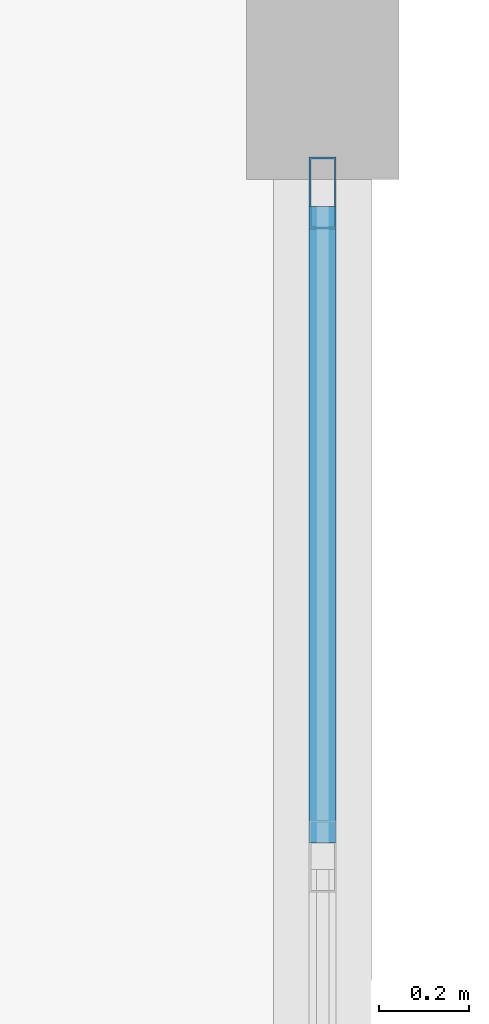
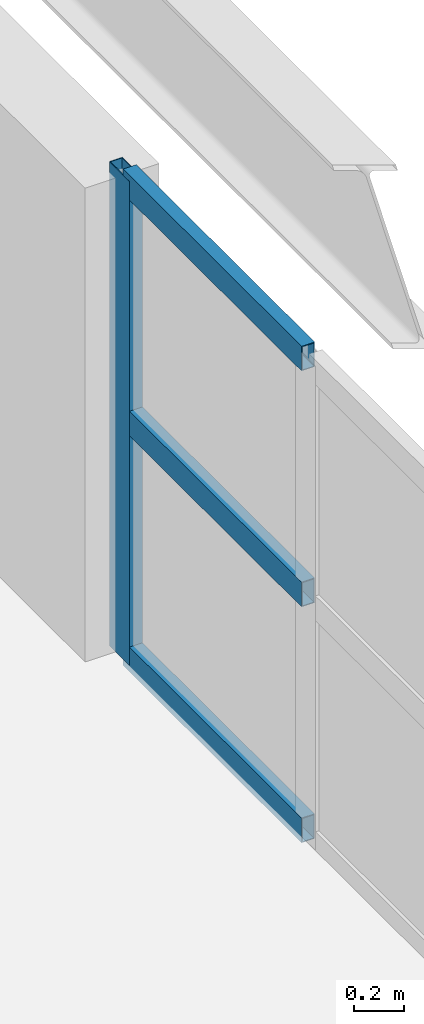
# One storey, part 40 of 74: 4 members, 1 element without a shape of its own.
"""IFC4 building model written with IfcOpenShell, lengths in metres."""

from ifc_helpers import new_model, si_unit, direction, frame, origin, origin_2d, place, context, subcontext, project, spatial, hollow_rectangle, extrude, material, layer, layer_set, material_profile, profile_set, type_object, element, aggregate, save


model = new_model("IFC4")

# Units and contexts
model_context = context("Model", 3, precision=1e-05, world=origin(), true_north=direction((0.0, 1.0)))
body_context = subcontext(model_context, "Body", "Model", "MODEL_VIEW")
ifc_project = project(units=[si_unit("LENGTHUNIT", "METRE"), si_unit("AREAUNIT", "SQUARE_METRE"), si_unit("VOLUMEUNIT", "CUBIC_METRE"), si_unit("PLANEANGLEUNIT", "RADIAN"), si_unit("MASSUNIT", "GRAM", prefix="KILO")], contexts=[model_context])

# Site, building, storey
site_placement = place(None, origin())
site = spatial("IfcSite", under=ifc_project, at=site_placement, CompositionType="ELEMENT")
building_placement = place(site_placement, origin())
building = spatial("IfcBuilding", under=site, at=building_placement, Name="Muzn Square Opera House", CompositionType="ELEMENT")
storey_placement = place(building_placement, frame((0.0, 0.0, 14.199951171875)))
storey = spatial("IfcBuildingStorey", under=building, at=storey_placement, Name="L03", CompositionType="ELEMENT", Elevation=14.199951171875)

# Curtain wall, members
ifc_material_1 = material(Name="Low-E laminated acoustic double glazing", Category="glass")
ifc_layer = layer(ifc_material_1, 0.159912109375, Name="Low-E laminated acoustic double glazing", Category="glass")
ifc_layer_set = layer_set([ifc_layer], Name="Low-E laminated acoustic double glazing")
curtain_wall_type = type_object("IfcCurtainWallType", Name="Glazed Curtain Wall RehearsalEast 12075x2350", PredefinedType="USERDEFINED", material=ifc_layer_set)
curtain_wall_placement = place(storey_placement, origin())
curtain_wall = element("IfcCurtainWall", 1, at=curtain_wall_placement, inside=storey, type_object=curtain_wall_type, Name="Glazed Curtain Wall CW-L03-129", ObjectType="GLAZED CURTAIN WALL", PredefinedType="USERDEFINED")
ifc_material_2 = material(Name="Anodised bronze aluminium 6063-T6", Category="metal")
ifc_material_profile_1 = material_profile(ifc_material_2, hollow_rectangle(XDim=0.06005859375, YDim=0.159912109375, WallThickness=0.00390625, at=origin_2d()), Name="ALU 160x60x4", Category="metal")
ifc_profile_set_1 = profile_set([ifc_material_profile_1], Name="Anodised bronze aluminium 6063-T6")
member_type_1 = type_object("IfcMemberType", Name="Curtain Wall Mullion 160x60", PredefinedType="MULLION", material=ifc_profile_set_1)
member_1_placement = place(storey_placement, frame((170.0, 110.969970703125, 0.0), z_axis=(0.0, 0.0, 1.0), x_axis=(-1.0, 0.0, 0.0)))
member_1 = element("IfcMember", 2, at=member_1_placement, type_object=member_type_1, Name="CW-RHE-120x23 mullion 9", PredefinedType="MULLION", context=body_context, shape_type="SweptSolid", body=[
    extrude(hollow_rectangle(XDim=0.06005859375, YDim=0.159912109375, WallThickness=0.00390625, at=origin_2d()), origin(), (0.0, 0.0, 1.0), 2.35009765625),
])
ifc_material_profile_2 = material_profile(ifc_material_2, hollow_rectangle(XDim=0.06005859375, YDim=0.1201171875, WallThickness=0.00390625, at=origin_2d()), Name="ALU 120x60x4", Category="metal")
ifc_profile_set_2 = profile_set([ifc_material_profile_2], Name="Anodised bronze aluminium 6063-T6")
member_type_2 = type_object("IfcMemberType", Name="Curtain Wall Transom 120x60", PredefinedType="USERDEFINED", material=ifc_profile_set_2)
member_2_placement = place(storey_placement, frame((170.0, 109.5205078125, 0.030029296875), z_axis=(0.0, 1.0, 0.0), x_axis=(-1.0, 0.0, 0.0)))
member_2 = element("IfcMember", 3, at=member_2_placement, type_object=member_type_2, Name="CW-RHE-120x23 transom 8.1", ObjectType="TRANSOM", PredefinedType="USERDEFINED", context=body_context, shape_type="SweptSolid", body=[
    extrude(hollow_rectangle(XDim=0.06005859375, YDim=0.1201171875, WallThickness=0.00390625, at=origin_2d()), origin(), (0.0, 0.0, 1.0), 1.41943359375),
])
member_3_placement = place(storey_placement, frame((170.0, 109.5205078125, 1.175048828125), z_axis=(0.0, 1.0, 0.0), x_axis=(-1.0, 0.0, 0.0)))
member_3 = element("IfcMember", 4, at=member_3_placement, type_object=member_type_2, Name="CW-RHE-120x23 transom 8.2", ObjectType="TRANSOM", PredefinedType="USERDEFINED", context=body_context, shape_type="SweptSolid", body=[
    extrude(hollow_rectangle(XDim=0.06005859375, YDim=0.1201171875, WallThickness=0.00390625, at=origin_2d()), origin(), (0.0, 0.0, 1.0), 1.41943359375),
])
member_4_placement = place(storey_placement, frame((170.0, 109.5205078125, 2.320068359375), z_axis=(0.0, 1.0, 0.0), x_axis=(-1.0, 0.0, 0.0)))
member_4 = element("IfcMember", 5, at=member_4_placement, type_object=member_type_2, Name="CW-RHE-120x23 transom 8.3", ObjectType="TRANSOM", PredefinedType="USERDEFINED", context=body_context, shape_type="SweptSolid", body=[
    extrude(hollow_rectangle(XDim=0.06005859375, YDim=0.1201171875, WallThickness=0.00390625, at=origin_2d()), origin(), (0.0, 0.0, 1.0), 1.41943359375),
])
aggregate(curtain_wall, [member_1, member_2, member_3, member_4])

save(model, "model.ifc")
